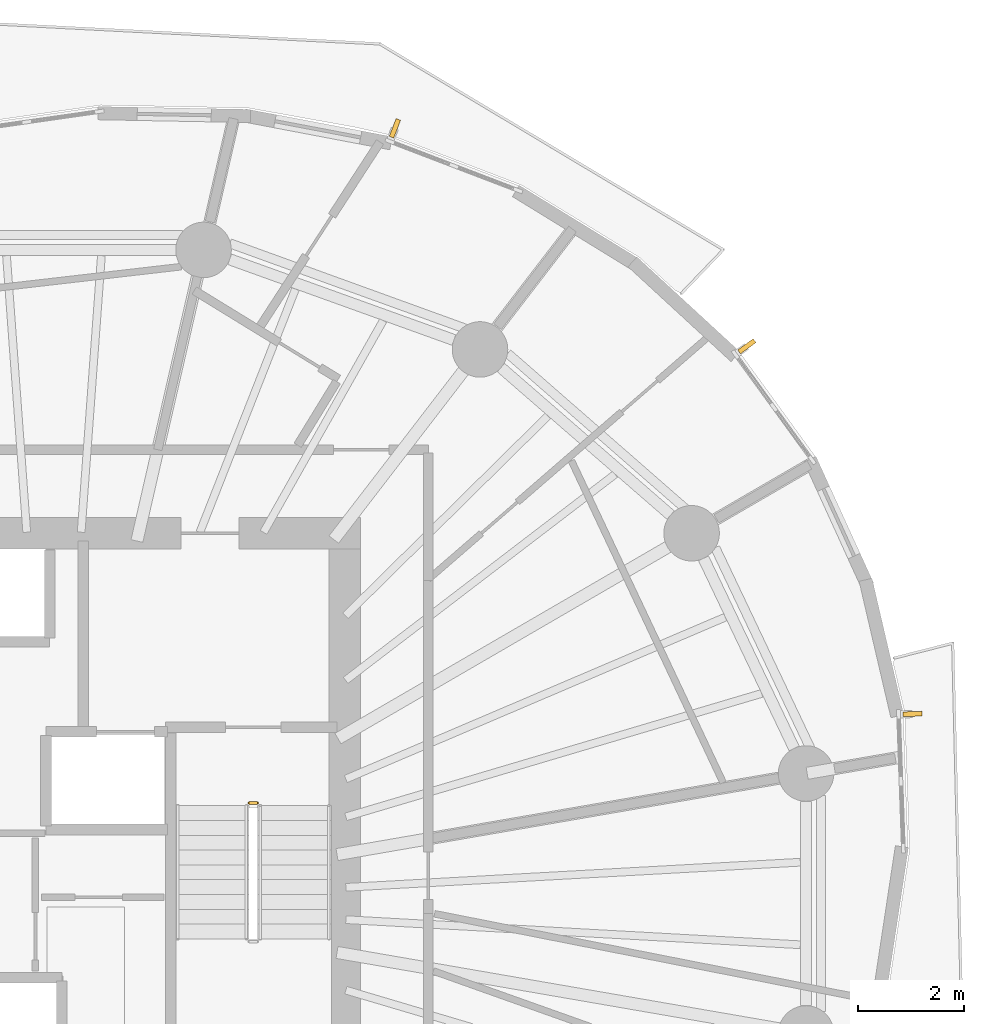
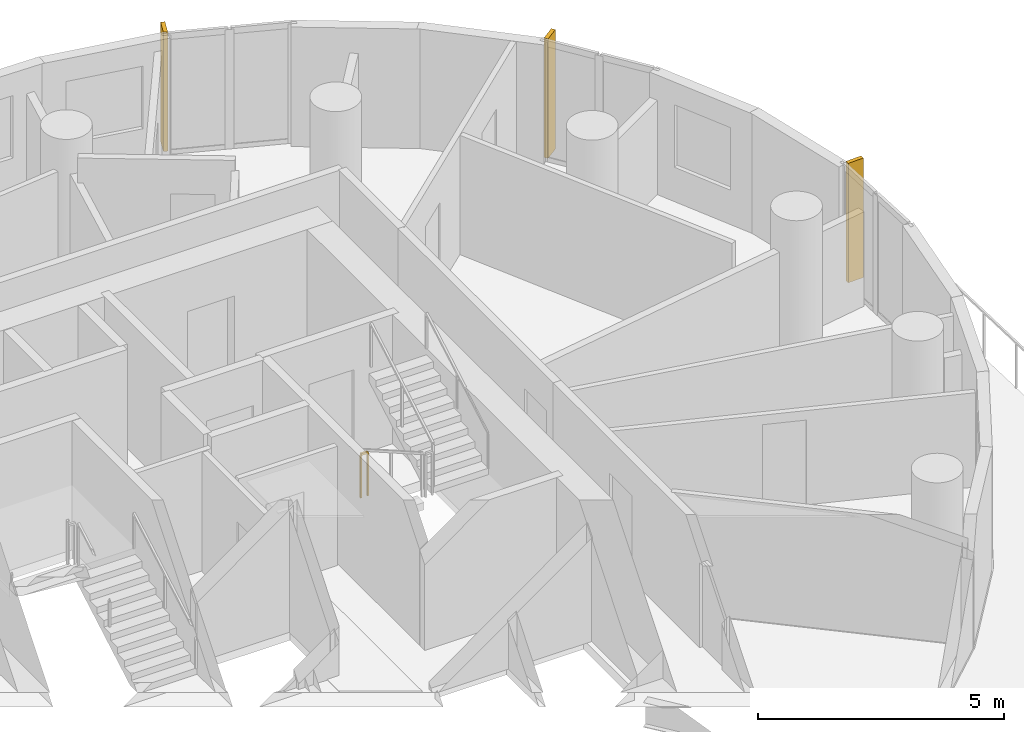
# One storey, part 14 of 14: 3 shading devices, 1 railing.
"""IFC4 building model written with IfcOpenShell, lengths in metres."""

from ifc_helpers import new_model, si_unit, direction, frame, origin, origin_2d, place, context, subcontext, project, spatial, rectangle, extrude, material, layer, layer_set, type_object, element, save


model = new_model("IFC4")

# Units and contexts
model_context = context("Model", 3, precision=1e-05, world=origin(), true_north=direction((0.0, 1.0)))
body_context = subcontext(model_context, "Body", "Model", "MODEL_VIEW")
ifc_project = project(units=[si_unit("LENGTHUNIT", "METRE"), si_unit("AREAUNIT", "SQUARE_METRE"), si_unit("VOLUMEUNIT", "CUBIC_METRE"), si_unit("PLANEANGLEUNIT", "RADIAN"), si_unit("MASSUNIT", "GRAM", prefix="KILO")], contexts=[model_context])

# Site, building, storey
site_placement = place(None, origin())
site = spatial("IfcSite", under=ifc_project, at=site_placement, CompositionType="ELEMENT")
building_placement = place(site_placement, origin())
building = spatial("IfcBuilding", under=site, at=building_placement, Name="Veldorim Arch Residences", CompositionType="ELEMENT")
storey_placement = place(building_placement, frame((0.0, 0.0, 129.760009765625)))
storey = spatial("IfcBuildingStorey", under=building, at=storey_placement, Name="L38", CompositionType="ELEMENT", Elevation=129.760009765625)

# Railing
ifc_material_1 = material(Name="Steel S355", Category="steel")
railing_type = type_object("IfcRailingType", Name="Galvanised Steel Stair Safety Guardrail 1100", PredefinedType="GUARDRAIL", material=ifc_material_1)
railing_placement = place(storey_placement, frame((35.68994140625, 25.89990234375, 0.0)))
element("IfcRailing", 1, at=railing_placement, inside=storey, type_object=railing_type, Name="L38 ST-2 stair guard 4", PredefinedType="GUARDRAIL", context=body_context, shape_type="SweptSolid", body=[
    extrude(rectangle(XDim=0.048095703125, YDim=0.048095703125, at=origin_2d()), frame((0.0, 0.0, 1.076171875), z_axis=(1.0, 0.0, 0.0), x_axis=(0.0, 1.0, 0.0)), (0.0, 0.0, 1.0), 0.16015625),
    extrude(rectangle(XDim=0.0419921875, YDim=0.0419921875, at=origin_2d()), origin(), (0.0, 0.0, 1.0), 1.052001953125),
    extrude(rectangle(XDim=0.0419921875, YDim=0.0419921875, at=origin_2d()), frame((0.16015625, 0.0, 0.0)), (0.0, 0.0, 1.0), 1.052001953125),
])

# Shading devices
ifc_material_2 = material(Name="Terracotta Ceramic", Category="masonry")
ifc_layer = layer(ifc_material_2, 0.090087890625, Name="Vertical Extruded Terracotta Baguette Sun-Shading Fin")
ifc_layer_set = layer_set([ifc_layer], Name="Terracotta Ceramic")
shading_device_type = type_object("IfcShadingDeviceType", Name="Vertical Extruded Terracotta Baguette Sun-Shading Fin", PredefinedType="USERDEFINED", material=ifc_layer_set)
for number, where, z_axis, x_axis, name in (
    (2, (45.1005859375, 34.535400390625, 0.0), (0.0, 0.0, 1.0), (0.587644043238, -0.809119569932, 0.0), "L38 vertical terracotta sun-shading fin 01"),
    (3, (38.447021484375, 38.656982421875, 0.0), (0.0, 0.0, 1.0), (0.934079892355, -0.357064076459, 0.0), "L38 vertical terracotta sun-shading fin 04"),
    (4, (48.234619140625, 27.583984375, 0.0), (0.0, 0.0, 1.0), (0.035422771708, -0.999372416692, 0.0), "L38 vertical terracotta sun-shading fin 34"),
):
    element("IfcShadingDevice", number, at=place(storey_placement, frame(where, z_axis=z_axis, x_axis=x_axis)), inside=storey, type_object=shading_device_type, Name=name, ObjectType="FIN", PredefinedType="USERDEFINED", context=body_context, shape_type="SweptSolid", body=[
        extrude(rectangle(XDim=0.090087890625, YDim=0.360107421875, at=origin_2d()), origin(), (0.0, 0.0, 1.0), 2.9599609375),
    ])

save(model, "model.ifc")
